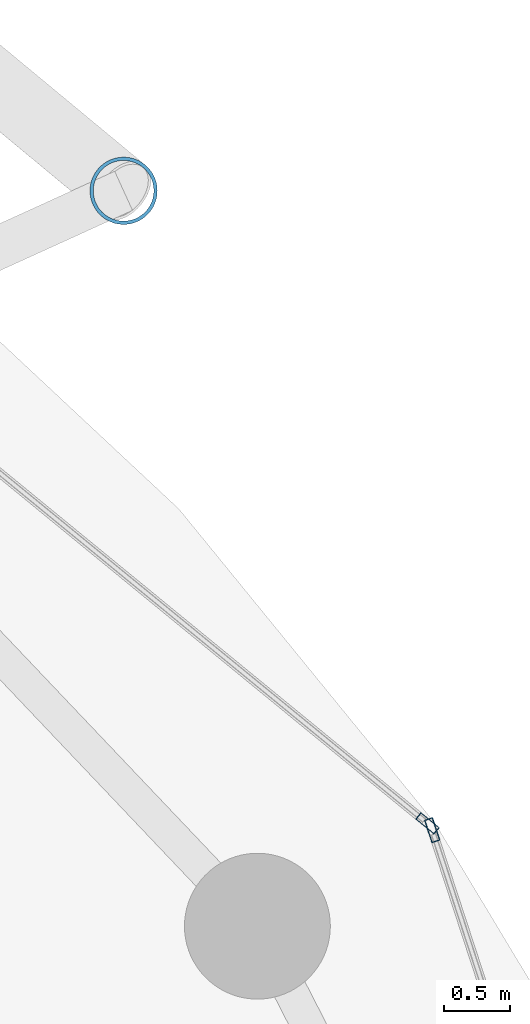
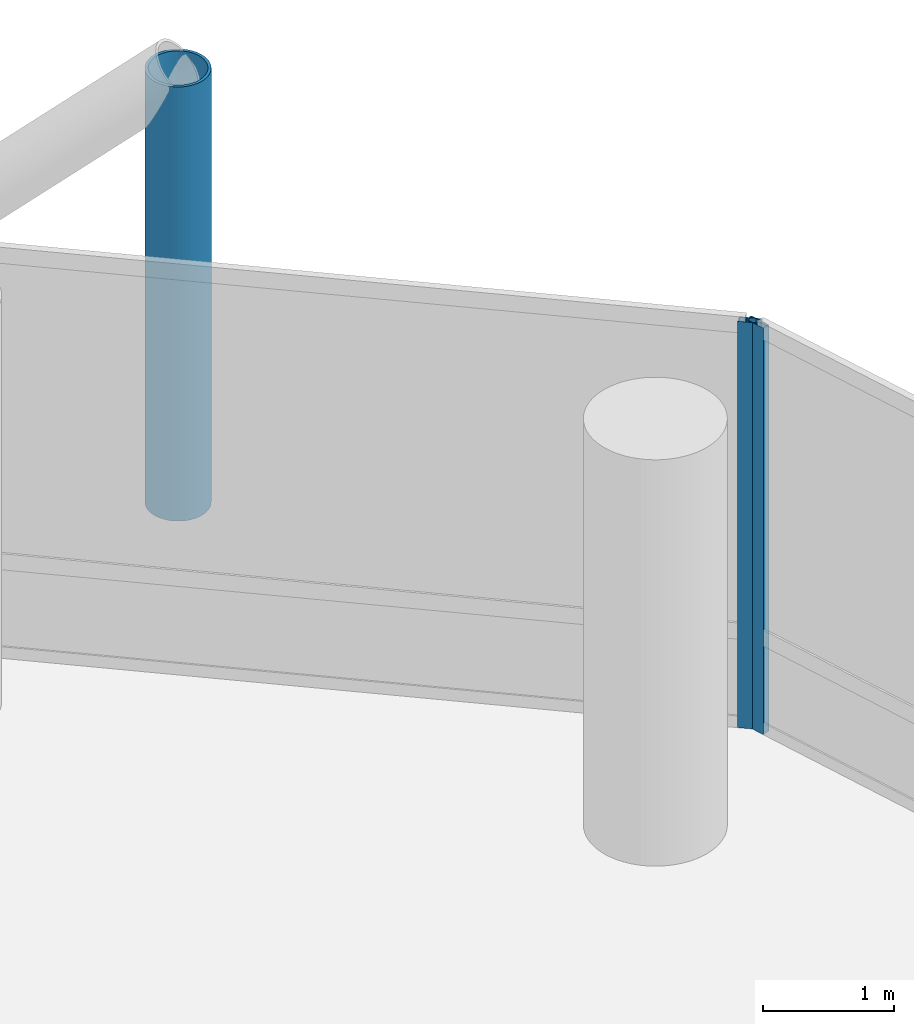
# One storey, part 19 of 24: 3 members, 2 elements without a shape of their own.
"""IFC4 building model written with IfcOpenShell, lengths in metres."""

from ifc_helpers import new_model, si_unit, direction, frame, origin, origin_2d, place, context, subcontext, project, spatial, hollow_rectangle, hollow_circle, extrude, material, layer, layer_set, material_profile, profile_set, type_object, element, aggregate, save


model = new_model("IFC4")

# Units and contexts
model_context = context("Model", 3, precision=1e-05, world=origin(), true_north=direction((0.0, 1.0)))
body_context = subcontext(model_context, "Body", "Model", "MODEL_VIEW")
ifc_project = project(units=[si_unit("LENGTHUNIT", "METRE"), si_unit("AREAUNIT", "SQUARE_METRE"), si_unit("VOLUMEUNIT", "CUBIC_METRE"), si_unit("PLANEANGLEUNIT", "RADIAN"), si_unit("MASSUNIT", "GRAM", prefix="KILO")], contexts=[model_context])

# Site, building, storey
site_placement = place(None, origin())
site = spatial("IfcSite", under=ifc_project, at=site_placement, CompositionType="ELEMENT")
building_placement = place(site_placement, origin())
building = spatial("IfcBuilding", under=site, at=building_placement, Name="Nuhasar Tower", CompositionType="ELEMENT")
storey_placement = place(building_placement, frame((0.0, 0.0, 33.14990234375)))
storey = spatial("IfcBuildingStorey", under=building, at=storey_placement, Name="L07", CompositionType="ELEMENT", Elevation=33.14990234375)

# Curtain wall, member
ifc_material_1 = material(Name="Aluminium 6063-T6", Category="aluminium")
ifc_layer = layer(ifc_material_1, 0.199951171875)
ifc_layer_set = layer_set([ifc_layer], Name="Aluminium 6063-T6")
curtain_wall_type = type_object("IfcCurtainWallType", Name="CW-Z1-OFF", PredefinedType="NOTDEFINED", material=ifc_layer_set)
curtain_wall_1_placement = place(storey_placement, origin())
curtain_wall_1 = element("IfcCurtainWall", 1, at=curtain_wall_1_placement, inside=storey, type_object=curtain_wall_type, Name="L07 Unitised Curtain Wall 01", PredefinedType="NOTDEFINED")
ifc_material_profile_1 = material_profile(ifc_material_1, hollow_rectangle(XDim=0.06494140625, YDim=0.179931640625, WallThickness=0.0048828125, at=origin_2d()), Name="CWM-2")
ifc_profile_set_1 = profile_set([ifc_material_profile_1], Name="Aluminium 6063-T6")
member_type_1 = type_object("IfcMemberType", Name="CW-MUL-S2", PredefinedType="MULLION", material=ifc_profile_set_1)
member_1_placement = place(storey_placement, frame((62.01220703125, 37.649169921875, 0.0), z_axis=(0.0, 0.0, 1.0), x_axis=(-0.950467534571, -0.310823849997, 0.0)))
member_1 = element("IfcMember", 2, at=member_1_placement, type_object=member_type_1, Name="CW-Z1 mullion 2", PredefinedType="MULLION", context=body_context, shape_type="SweptSolid", body=[
    extrude(hollow_rectangle(XDim=0.06494140625, YDim=0.179931640625, WallThickness=0.0048828125, at=origin_2d()), origin(), (0.0, 0.0, 1.0), 3.7900390625),
])
aggregate(curtain_wall_1, [member_1])

curtain_wall_2_placement = place(storey_placement, origin())
curtain_wall_2 = element("IfcCurtainWall", 3, at=curtain_wall_2_placement, inside=storey, type_object=curtain_wall_type, Name="L07 Unitised Curtain Wall 02", PredefinedType="NOTDEFINED")
member_2_placement = place(storey_placement, frame((61.976806640625, 37.70068359375, 0.0), z_axis=(0.0, 0.0, 1.0), x_axis=(-0.633744593376, -0.773542364946, 0.0)))
member_2 = element("IfcMember", 4, at=member_2_placement, type_object=member_type_1, Name="CW-Z1 mullion 1", PredefinedType="MULLION", context=body_context, shape_type="SweptSolid", body=[
    extrude(hollow_rectangle(XDim=0.06494140625, YDim=0.179931640625, WallThickness=0.0048828125, at=origin_2d()), origin(), (0.0, 0.0, 1.0), 3.7900390625),
])
aggregate(curtain_wall_2, [member_2])

# Member
ifc_material_2 = material(Name="Steel S460", Category="steel")
ifc_material_profile_2 = material_profile(ifc_material_2, hollow_circle(Radius=0.25390625, WallThickness=0.025390625, at=origin_2d()), Name="HSS508X25.4")
ifc_profile_set_2 = profile_set([ifc_material_profile_2], Name="Steel S460")
member_type_2 = type_object("IfcMemberType", Name="EXO-BRONZE-508", PredefinedType="BRACE", material=ifc_profile_set_2)
member_3_placement = place(storey_placement, frame((59.68505859375, 42.470947265625, 0.0), z_axis=(0.0, 0.0, 1.0), x_axis=(1.0, 0.0, 0.0)))
element("IfcMember", 5, at=member_3_placement, inside=storey, type_object=member_type_2, Name="L07 Exoskeleton Chord Column EC-02A", PredefinedType="BRACE", context=body_context, shape_type="SweptSolid", body=[
    extrude(hollow_circle(Radius=0.25390625, WallThickness=0.025390625, at=origin_2d()), origin(), (0.0, 0.0, 1.0), 4.050048828125),
])

save(model, "model.ifc")
